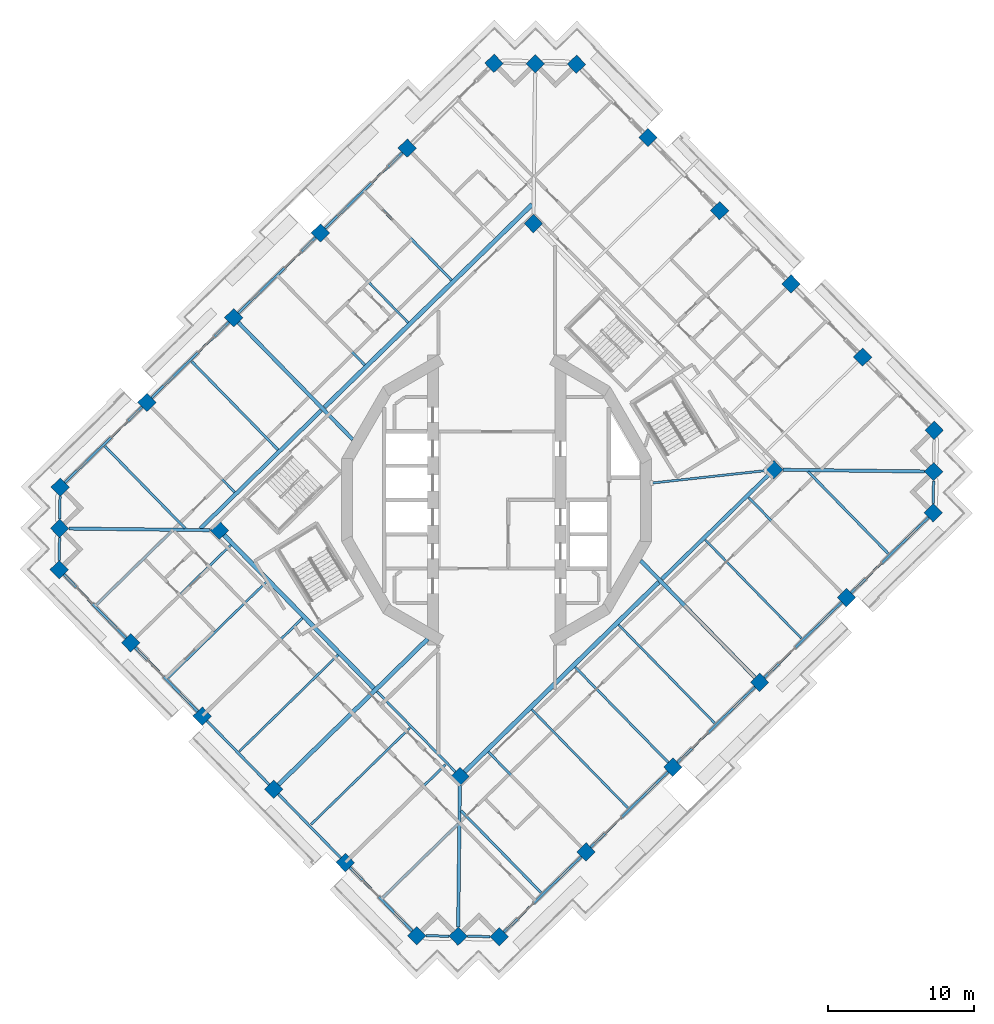
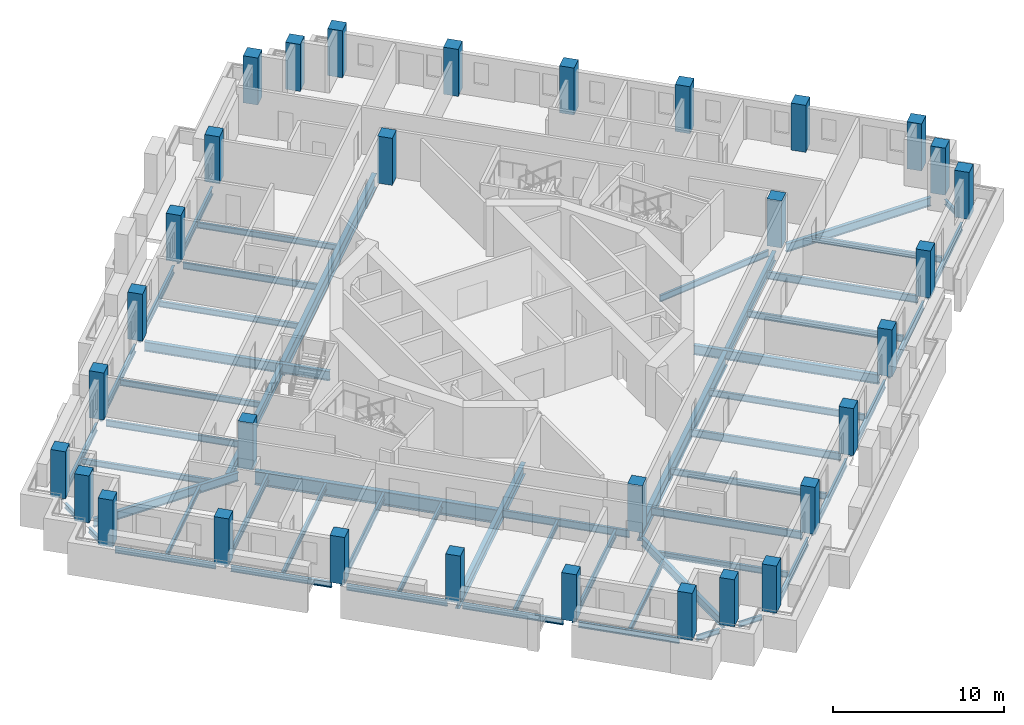
# One storey, part 1 of 17: 54 beams, 32 columns.
"""IFC4 building model written with IfcOpenShell, lengths in metres."""

from ifc_helpers import new_model, si_unit, direction, frame, origin, origin_2d, place, context, subcontext, project, spatial, rectangle, i_section, extrude, material, material_profile, profile_set, type_object, element, save


model = new_model("IFC4")

# Units and contexts
model_context = context("Model", 3, precision=1e-05, world=origin(), true_north=direction((0.0, 1.0)))
body_context = subcontext(model_context, "Body", "Model", "MODEL_VIEW")
ifc_project = project(units=[si_unit("LENGTHUNIT", "METRE"), si_unit("AREAUNIT", "SQUARE_METRE"), si_unit("VOLUMEUNIT", "CUBIC_METRE"), si_unit("PLANEANGLEUNIT", "RADIAN"), si_unit("MASSUNIT", "GRAM", prefix="KILO")], contexts=[model_context])

# Site, building, storey
site_placement = place(None, origin())
site = spatial("IfcSite", under=ifc_project, at=site_placement, CompositionType="ELEMENT")
building_placement = place(site_placement, origin())
building = spatial("IfcBuilding", under=site, at=building_placement, Name="Cantera Rosa Tower", CompositionType="ELEMENT")
storey_placement = place(building_placement, frame((0.0, 0.0, 237.800048828125)))
storey = spatial("IfcBuildingStorey", under=building, at=storey_placement, Name="L52", CompositionType="ELEMENT", Elevation=237.800048828125)

# Columns
ifc_material_1 = material(Name="Concrete C60/75", Category="concrete")
ifc_material_profile_1 = material_profile(ifc_material_1, rectangle(XDim=0.89990234375, YDim=0.89990234375, at=origin_2d()), Name="RC COLUMN RC900X900 C60/75")
ifc_profile_set_1 = profile_set([ifc_material_profile_1], Name="Concrete C60/75")
column_type_1 = type_object("IfcColumnType", Name="RC COLUMN RC900X900 C60/75", PredefinedType="COLUMN", material=ifc_profile_set_1)
for number, where, z_axis, x_axis, name in (
    (1, (30.003662109375, 4.77783203125, 0.0), (0.0, 0.0, 1.0), (0.71528629107, 0.698831540364, 0.0), "C-Z4-01 L52"),
    (2, (25.097900390625, 9.799072265625, 0.0), (0.0, 0.0, 1.0), (0.71528629107, 0.698831540364, 0.0), "C-Z4-02 L52"),
    (3, (20.19189453125, 14.8203125, 0.0), (0.0, 0.0, 1.0), (0.71528629107, 0.698831540364, 0.0), "C-Z4-03 L52"),
    (4, (15.2861328125, 19.841796875, 0.0), (0.0, 0.0, 1.0), (0.71528629107, 0.698831540364, 0.0), "C-Z4-04 L52"),
    (5, (10.38037109375, 24.863037109375, 0.0), (0.0, 0.0, 1.0), (0.71528629107, 0.698831540364, 0.0), "C-Z4-05 L52"),
    (6, (5.474609375, 29.88427734375, 0.0), (0.0, 0.0, 1.0), (0.71528629107, 0.698831540364, 0.0), "C-Z4-06 L52"),
    (7, (2.646484375, 29.917236328125, 0.0), (0.0, 0.0, 1.0), (0.71528629107, 0.698831540364, 0.0), "C-Z4-07 L52"),
    (8, (-0.181884765625, 29.9501953125, 0.0), (0.0, 0.0, 1.0), (0.71528629107, 0.698831540364, 0.0), "C-Z4-08 L52"),
    (9, (-6.133056640625, 24.1357421875, 0.0), (0.0, 0.0, 1.0), (0.71528629107, 0.698831540364, 0.0), "C-Z4-09 L52"),
    (10, (-12.084228515625, 18.321533203125, 0.0), (0.0, 0.0, 1.0), (0.71528629107, 0.698831540364, 0.0), "C-Z4-10 L52"),
    (11, (-18.035400390625, 12.50732421875, 0.0), (0.0, 0.0, 1.0), (0.71528629107, 0.698831540364, 0.0), "C-Z4-11 L52"),
    (12, (-23.986572265625, 6.693115234375, 0.0), (0.0, 0.0, 1.0), (0.71528629107, 0.698831540364, 0.0), "C-Z4-12 L52"),
    (13, (-29.937744140625, 0.878662109375, 0.0), (0.0, 0.0, 1.0), (0.71528629107, 0.698831540364, 0.0), "C-Z4-13 L52"),
    (14, (-29.970703125, -1.949462890625, 0.0), (0.0, 0.0, 1.0), (0.71528629107, 0.698831540364, 0.0), "C-Z4-14 L52"),
    (15, (-30.003662109375, -4.77783203125, 0.0), (0.0, 0.0, 1.0), (0.71528629107, 0.698831540364, 0.0), "C-Z4-15 L52"),
    (16, (-25.097900390625, -9.799072265625, 0.0), (0.0, 0.0, 1.0), (0.71528629107, 0.698831540364, 0.0), "C-Z4-16 L52"),
    (17, (-20.19189453125, -14.8203125, 0.0), (0.0, 0.0, 1.0), (0.71528629107, 0.698831540364, 0.0), "C-Z4-17 L52"),
    (18, (-15.2861328125, -19.841796875, 0.0), (0.0, 0.0, 1.0), (0.71528629107, 0.698831540364, 0.0), "C-Z4-18 L52"),
    (19, (-10.38037109375, -24.863037109375, 0.0), (0.0, 0.0, 1.0), (0.71528629107, 0.698831540364, 0.0), "C-Z4-19 L52"),
    (20, (-5.474609375, -29.88427734375, 0.0), (0.0, 0.0, 1.0), (0.71528629107, 0.698831540364, 0.0), "C-Z4-20 L52"),
    (21, (-2.646484375, -29.917236328125, 0.0), (0.0, 0.0, 1.0), (0.71528629107, 0.698831540364, 0.0), "C-Z4-21 L52"),
    (22, (0.181884765625, -29.9501953125, 0.0), (0.0, 0.0, 1.0), (0.71528629107, 0.698831540364, 0.0), "C-Z4-22 L52"),
    (23, (6.133056640625, -24.1357421875, 0.0), (0.0, 0.0, 1.0), (0.71528629107, 0.698831540364, 0.0), "C-Z4-23 L52"),
    (24, (12.084228515625, -18.321533203125, 0.0), (0.0, 0.0, 1.0), (0.71528629107, 0.698831540364, 0.0), "C-Z4-24 L52"),
    (25, (18.035400390625, -12.50732421875, 0.0), (0.0, 0.0, 1.0), (0.71528629107, 0.698831540364, 0.0), "C-Z4-25 L52"),
    (26, (23.986572265625, -6.693115234375, 0.0), (0.0, 0.0, 1.0), (0.71528629107, 0.698831540364, 0.0), "C-Z4-26 L52"),
    (27, (29.937744140625, -0.878662109375, 0.0), (0.0, 0.0, 1.0), (0.71528629107, 0.698831540364, 0.0), "C-Z4-27 L52"),
    (28, (29.970703125, 1.949462890625, 0.0), (0.0, 0.0, 1.0), (0.71528629107, 0.698831540364, 0.0), "C-Z4-28 L52"),
):
    element("IfcColumn", number, at=place(storey_placement, frame(where, z_axis=z_axis, x_axis=x_axis)), inside=storey, type_object=column_type_1, Name=name, PredefinedType="COLUMN", context=body_context, shape_type="SweptSolid", body=[
        extrude(rectangle(XDim=0.89990234375, YDim=0.89990234375, at=origin_2d()), origin(), (0.0, 0.0, 1.0), 3.349853515625),
    ])
ifc_material_2 = material(Name="Concrete C60/75", Category="concrete")
ifc_material_profile_2 = material_profile(ifc_material_2, rectangle(XDim=0.89990234375, YDim=0.89990234375, at=origin_2d()), Name="RC RING COLUMN RC900X900 C60/75")
ifc_profile_set_2 = profile_set([ifc_material_profile_2], Name="Concrete C60/75")
column_type_2 = type_object("IfcColumnType", Name="RC RING COLUMN RC900X900 C60/75", PredefinedType="COLUMN", material=ifc_profile_set_2)
for number, where, z_axis, x_axis, name in (
    (29, (2.518798828125, 18.957763671875, 0.0), (0.0, 0.0, 1.0), (0.71528629107, 0.698831540364, 0.0), "CI-Z4-1 L52"),
    (30, (-19.01123046875, -2.0771484375, 0.0), (0.0, 0.0, 1.0), (0.71528629107, 0.698831540364, 0.0), "CI-Z4-2 L52"),
    (31, (-2.518798828125, -18.957763671875, 0.0), (0.0, 0.0, 1.0), (0.71528629107, 0.698831540364, 0.0), "CI-Z4-3 L52"),
    (32, (19.01123046875, 2.0771484375, 0.0), (0.0, 0.0, 1.0), (0.71528629107, 0.698831540364, 0.0), "CI-Z4-4 L52"),
):
    element("IfcColumn", number, at=place(storey_placement, frame(where, z_axis=z_axis, x_axis=x_axis)), inside=storey, type_object=column_type_2, Name=name, PredefinedType="COLUMN", context=body_context, shape_type="SweptSolid", body=[
        extrude(rectangle(XDim=0.89990234375, YDim=0.89990234375, at=origin_2d()), origin(), (0.0, 0.0, 1.0), 3.349853515625),
    ])

# Beams
ifc_material_3 = material(Name="Steel ASTM A992 (Fy 345 MPa)", Category="steel")
ifc_material_profile_3 = material_profile(ifc_material_3, i_section(OverallWidth=0.300048828125, OverallDepth=0.990966796875, WebThickness=0.0166015625, FlangeThickness=0.030517578125, FilletRadius=0.030029296875, at=origin_2d()), Name="W1000X272")
ifc_profile_set_3 = profile_set([ifc_material_profile_3], Name="Steel ASTM A992 (Fy 345 MPa)")
beam_type_1 = type_object("IfcBeamType", Name="STEEL BEAM W1000X272", PredefinedType="BEAM", material=ifc_profile_set_3)
beam_1_placement = place(storey_placement, frame((-8.4169921875, -12.9208984375, -0.74560546875), z_axis=(-0.698826825527, 0.715290897415, 0.0), x_axis=(-0.715290897415, -0.698826825527, 0.0)))
element("IfcBeam", 33, at=beam_1_placement, inside=storey, type_object=beam_type_1, Name="RB-Z4-07 L52", PredefinedType="BEAM", context=body_context, shape_type="SweptSolid", body=[
    extrude(i_section(OverallWidth=0.300048828125, OverallDepth=0.990966796875, WebThickness=0.0166015625, FlangeThickness=0.030517578125, FilletRadius=0.030029296875, at=origin_2d()), origin(), (0.0, 0.0, 1.0), 14.7099609375),
])
ifc_material_4 = material(Name="Steel ASTM A992 (Fy 345 MPa)", Category="steel")
ifc_material_profile_4 = material_profile(ifc_material_4, i_section(OverallWidth=0.302001953125, OverallDepth=1.010009765625, WebThickness=0.02099609375, FlangeThickness=0.0400390625, FilletRadius=0.030029296875, at=origin_2d()), Name="W1000X350")
ifc_profile_set_4 = profile_set([ifc_material_profile_4], Name="Steel ASTM A992 (Fy 345 MPa)")
beam_type_2 = type_object("IfcBeamType", Name="STEEL BEAM W1000X350", PredefinedType="BEAM", material=ifc_profile_set_4)
beam_2_placement = place(storey_placement, frame((-11.813232421875, 6.353271484375, -0.755126953125), z_axis=(0.715280810147, 0.698837150297, 0.0), x_axis=(-0.698837150297, 0.715280810147, 0.0)))
element("IfcBeam", 34, at=beam_2_placement, inside=storey, type_object=beam_type_2, Name="RB-Z4-02 L52", PredefinedType="BEAM", context=body_context, shape_type="SweptSolid", body=[
    extrude(i_section(OverallWidth=0.302001953125, OverallDepth=1.010009765625, WebThickness=0.02099609375, FlangeThickness=0.0400390625, FilletRadius=0.030029296875, at=origin_2d()), origin(), (0.0, 0.0, 1.0), 19.909912109375),
])
beam_3_placement = place(storey_placement, frame((-2.197021484375, -18.643310546875, -0.755126953125), z_axis=(0.715290925107, 0.698826797182, 0.0), x_axis=(-0.698826797182, 0.715290925107, 0.0)))
element("IfcBeam", 35, at=beam_3_placement, inside=storey, type_object=beam_type_2, Name="RB-Z4-03 L52", PredefinedType="BEAM", context=body_context, shape_type="SweptSolid", body=[
    extrude(i_section(OverallWidth=0.302001953125, OverallDepth=1.010009765625, WebThickness=0.02099609375, FlangeThickness=0.0400390625, FilletRadius=0.030029296875, at=origin_2d()), origin(), (0.0, 0.0, 1.0), 18.60986328125),
])
ifc_material_5 = material(Name="Steel ASTM A992 (Fy 345 MPa)", Category="steel")
ifc_material_profile_5 = material_profile(ifc_material_5, i_section(OverallWidth=0.154052734375, OverallDepth=0.4599609375, WebThickness=0.009033203125, FlangeThickness=0.015380859375, FilletRadius=0.01025390625, at=origin_2d()), Name="W460X68")
ifc_profile_set_5 = profile_set([ifc_material_profile_5], Name="Steel ASTM A992 (Fy 345 MPa)")
beam_type_3 = type_object("IfcBeamType", Name="STEEL BEAM W460X68", PredefinedType="BEAM", material=ifc_profile_set_5)
for number, where, z_axis, x_axis, name in (
    (36, (-11.769775390625, 17.999755859375, -0.47998046875), (0.698836133494, -0.715281803574, 0.0), (0.715281803574, 0.698836133494, 0.0), "G-Z4-06 L52"),
    (37, (-23.672119140625, 6.37109375, -0.47998046875), (0.698836133494, -0.715281803574, 0.0), (0.715281803574, 0.698836133494, 0.0), "G-Z4-08 L52"),
):
    element("IfcBeam", number, at=place(storey_placement, frame(where, z_axis=z_axis, x_axis=x_axis)), inside=storey, type_object=beam_type_3, Name=name, PredefinedType="BEAM", context=body_context, shape_type="SweptSolid", body=[
        extrude(i_section(OverallWidth=0.154052734375, OverallDepth=0.4599609375, WebThickness=0.009033203125, FlangeThickness=0.015380859375, FilletRadius=0.01025390625, at=origin_2d()), origin(), (0.0, 0.0, 1.0), 8.150146484375),
    ])
beam_4_placement = place(storey_placement, frame((18.44287109375, 2.014892578125, -0.47998046875), z_axis=(-0.994086100692, -0.108594771563, 0.0), x_axis=(0.108594771563, -0.994086100692, 0.0)))
element("IfcBeam", 38, at=beam_4_placement, inside=storey, type_object=beam_type_3, Name="PG-Z4-01 L52", PredefinedType="BEAM", context=body_context, shape_type="SweptSolid", body=[
    extrude(i_section(OverallWidth=0.154052734375, OverallDepth=0.4599609375, WebThickness=0.009033203125, FlangeThickness=0.015380859375, FilletRadius=0.01025390625, at=origin_2d()), origin(), (0.0, 0.0, 1.0), 7.864013671875),
])
ifc_material_6 = material(Name="Steel ASTM A992 (Fy 345 MPa)", Category="steel")
ifc_material_profile_6 = material_profile(ifc_material_6, i_section(OverallWidth=0.166015625, OverallDepth=0.528076171875, WebThickness=0.009765625, FlangeThickness=0.013671875, FilletRadius=0.0126953125, at=origin_2d()), Name="W530X74")
ifc_profile_set_6 = profile_set([ifc_material_profile_6], Name="Steel ASTM A992 (Fy 345 MPa)")
beam_type_4 = type_object("IfcBeamType", Name="STEEL BEAM W530X74", PredefinedType="BEAM", material=ifc_profile_set_6)
for number, where, z_axis, x_axis, name in (
    (39, (5.818603515625, -23.81396484375, -0.51416015625), (-0.698827481213, 0.71529025682, 0.0), (-0.71529025682, -0.698827481213, 0.0), "G-Z4-09 L52"),
    (40, (11.769775390625, -17.999755859375, -0.51416015625), (-0.698827481213, 0.71529025682, 0.0), (-0.71529025682, -0.698827481213, 0.0), "G-Z4-10 L52"),
    (41, (23.672119140625, -6.37109375, -0.51416015625), (-0.698827481213, 0.71529025682, 0.0), (-0.71529025682, -0.698827481213, 0.0), "G-Z4-12 L52"),
    (42, (-24.77587890625, -9.484619140625, -0.51416015625), (0.71529025682, 0.698827481213, 0.0), (-0.698827481213, 0.71529025682, 0.0), "G-Z4-13 L52"),
    (43, (-19.8701171875, -14.505859375, -0.51416015625), (0.71529025682, 0.698827481213, 0.0), (-0.698827481213, 0.71529025682, 0.0), "G-Z4-14 L52"),
    (44, (-10.05859375, -24.548583984375, -0.51416015625), (0.71529025682, 0.698827481213, 0.0), (-0.698827481213, 0.71529025682, 0.0), "G-Z4-16 L52"),
):
    element("IfcBeam", number, at=place(storey_placement, frame(where, z_axis=z_axis, x_axis=x_axis)), inside=storey, type_object=beam_type_4, Name=name, PredefinedType="BEAM", context=body_context, shape_type="SweptSolid", body=[
        extrude(i_section(OverallWidth=0.166015625, OverallDepth=0.528076171875, WebThickness=0.009765625, FlangeThickness=0.013671875, FilletRadius=0.0126953125, at=origin_2d()), origin(), (0.0, 0.0, 1.0), 9.14990234375),
    ])
beam_5_placement = place(storey_placement, frame((-2.833251953125, -18.635986328125, -0.51416015625), z_axis=(-0.698820376914, 0.71529719754, 0.0), x_axis=(-0.71529719754, -0.698820376914, 0.0)))
element("IfcBeam", 45, at=beam_5_placement, inside=storey, type_object=beam_type_4, Name="RB-Z4-06 L52", PredefinedType="BEAM", context=body_context, shape_type="SweptSolid", body=[
    extrude(i_section(OverallWidth=0.166015625, OverallDepth=0.528076171875, WebThickness=0.009765625, FlangeThickness=0.013671875, FilletRadius=0.0126953125, at=origin_2d()), origin(), (0.0, 0.0, 1.0), 7.690185546875),
])
ifc_material_7 = material(Name="Steel ASTM A992 (Fy 345 MPa)", Category="steel")
ifc_material_profile_7 = material_profile(ifc_material_7, i_section(OverallWidth=0.22802734375, OverallDepth=0.60205078125, WebThickness=0.010498046875, FlangeThickness=0.014892578125, FilletRadius=0.0126953125, at=origin_2d()), Name="W610X101")
ifc_profile_set_7 = profile_set([ifc_material_profile_7], Name="Steel ASTM A992 (Fy 345 MPa)")
beam_type_5 = type_object("IfcBeamType", Name="STEEL BEAM W610X101", PredefinedType="BEAM", material=ifc_profile_set_7)
for number, where, z_axis, x_axis, name in (
    (46, (-29.334228515625, -1.95703125, -0.551025390625), (0.999932504919, -0.011618330597, 0.0), (0.011618330597, 0.999932504919, 0.0), "CB-Z4-02 L52"),
    (47, (-2.638916015625, -29.28076171875, -0.551025390625), (0.011618330597, 0.999932504919, 0.0), (-0.999932504919, 0.011618330597, 0.0), "CB-Z4-03 L52"),
    (48, (29.334228515625, 1.95703125, -0.551025390625), (-0.999932504919, 0.011618330597, 0.0), (-0.011618330597, -0.999932504919, 0.0), "CB-Z4-04 L52"),
):
    element("IfcBeam", number, at=place(storey_placement, frame(where, z_axis=z_axis, x_axis=x_axis)), inside=storey, type_object=beam_type_5, Name=name, PredefinedType="BEAM", context=body_context, shape_type="SweptSolid", body=[
        extrude(i_section(OverallWidth=0.22802734375, OverallDepth=0.60205078125, WebThickness=0.010498046875, FlangeThickness=0.014892578125, FilletRadius=0.0126953125, at=origin_2d()), origin(), (0.0, 0.0, 1.0), 9.687255859375),
    ])
ifc_material_8 = material(Name="Steel ASTM A992 (Fy 345 MPa)", Category="steel")
ifc_material_profile_8 = material_profile(ifc_material_8, i_section(OverallWidth=0.25390625, OverallDepth=0.677978515625, WebThickness=0.01171875, FlangeThickness=0.016357421875, FilletRadius=0.01513671875, at=origin_2d()), Name="W690X125")
ifc_profile_set_8 = profile_set([ifc_material_profile_8], Name="Steel ASTM A992 (Fy 345 MPa)")
beam_type_6 = type_object("IfcBeamType", Name="STEEL BEAM W690X125", PredefinedType="BEAM", material=ifc_profile_set_8)
for number, where, z_axis, x_axis, name in (
    (49, (-17.720947265625, 12.185302734375, -0.589111328125), (0.698831358516, -0.715286468734, 0.0), (0.715286468734, 0.698831358516, 0.0), "G-Z4-07 L52"),
    (50, (17.720947265625, -12.185302734375, -0.589111328125), (-0.698831358516, 0.715286468734, 0.0), (-0.715286468734, -0.698831358516, 0.0), "G-Z4-11 L52"),
):
    element("IfcBeam", number, at=place(storey_placement, frame(where, z_axis=z_axis, x_axis=x_axis)), inside=storey, type_object=beam_type_6, Name=name, PredefinedType="BEAM", context=body_context, shape_type="SweptSolid", body=[
        extrude(i_section(OverallWidth=0.25390625, OverallDepth=0.677978515625, WebThickness=0.01171875, FlangeThickness=0.016357421875, FilletRadius=0.01513671875, at=origin_2d()), origin(), (0.0, 0.0, 1.0), 11.2314453125),
    ])
beam_6_placement = place(storey_placement, frame((11.3291015625, -5.428466796875, -0.589111328125), z_axis=(0.715291776896, 0.698825925324, 0.0), x_axis=(-0.698825925324, 0.715291776896, 0.0)))
element("IfcBeam", 51, at=beam_6_placement, inside=storey, type_object=beam_type_6, Name="RB-Z4-04 L52", PredefinedType="BEAM", context=body_context, shape_type="SweptSolid", body=[
    extrude(i_section(OverallWidth=0.25390625, OverallDepth=0.677978515625, WebThickness=0.01171875, FlangeThickness=0.016357421875, FilletRadius=0.01513671875, at=origin_2d()), origin(), (0.0, 0.0, 1.0), 10.2900390625),
])
ifc_material_9 = material(Name="Steel ASTM A992 (Fy 345 MPa)", Category="steel")
ifc_material_profile_9 = material_profile(ifc_material_9, i_section(OverallWidth=0.26708984375, OverallDepth=0.75390625, WebThickness=0.01318359375, FlangeThickness=0.01708984375, FilletRadius=0.0166015625, at=origin_2d()), Name="W760X147")
ifc_profile_set_9 = profile_set([ifc_material_profile_9], Name="Steel ASTM A992 (Fy 345 MPa)")
beam_type_7 = type_object("IfcBeamType", Name="STEEL BEAM W760X147", PredefinedType="BEAM", material=ifc_profile_set_9)
beam_7_placement = place(storey_placement, frame((-20.318115234375, -1.955810546875, -0.626953125), z_axis=(0.715284592672, 0.698833278749, 0.0), x_axis=(-0.698833278749, 0.715284592672, 0.0)))
element("IfcBeam", 52, at=beam_7_placement, inside=storey, type_object=beam_type_7, Name="RB-Z4-01 L52", PredefinedType="BEAM", context=body_context, shape_type="SweptSolid", body=[
    extrude(i_section(OverallWidth=0.26708984375, OverallDepth=0.75390625, WebThickness=0.01318359375, FlangeThickness=0.01708984375, FilletRadius=0.0166015625, at=origin_2d()), origin(), (0.0, 0.0, 1.0), 11.590087890625),
])
ifc_material_10 = material(Name="Steel ASTM A992 (Fy 345 MPa)", Category="steel")
ifc_material_profile_10 = material_profile(ifc_material_10, i_section(OverallWidth=0.2919921875, OverallDepth=0.8359375, WebThickness=0.013916015625, FlangeThickness=0.018798828125, FilletRadius=0.017822265625, at=origin_2d()), Name="W840X176")
ifc_profile_set_10 = profile_set([ifc_material_profile_10], Name="Steel ASTM A992 (Fy 345 MPa)")
beam_type_8 = type_object("IfcBeamType", Name="STEEL BEAM W840X176", PredefinedType="BEAM", material=ifc_profile_set_10)
beam_8_placement = place(storey_placement, frame((-14.96435546875, -19.527099609375, -0.66796875), z_axis=(0.715288446628, 0.698829334045, 0.0), x_axis=(-0.698829334045, 0.715288446628, 0.0)))
element("IfcBeam", 53, at=beam_8_placement, inside=storey, type_object=beam_type_8, Name="G-Z4-15 L52", PredefinedType="BEAM", context=body_context, shape_type="SweptSolid", body=[
    extrude(i_section(OverallWidth=0.2919921875, OverallDepth=0.8359375, WebThickness=0.013916015625, FlangeThickness=0.018798828125, FilletRadius=0.017822265625, at=origin_2d()), origin(), (0.0, 0.0, 1.0), 14.299072265625),
])
ifc_material_11 = material(Name="Steel ASTM A992 (Fy 345 MPa)", Category="steel")
ifc_material_profile_11 = material_profile(ifc_material_11, i_section(OverallWidth=0.1708984375, OverallDepth=0.35595703125, WebThickness=0.00732421875, FlangeThickness=0.01171875, FilletRadius=0.010009765625, at=origin_2d()), Name="W360X51")
ifc_profile_set_11 = profile_set([ifc_material_profile_11], Name="Steel ASTM A992 (Fy 345 MPa)")
beam_type_9 = type_object("IfcBeamType", Name="STEEL JOIST W360X51", PredefinedType="JOIST", material=ifc_profile_set_11)
for number, where, z_axis, x_axis, name in (
    (54, (-27.443359375, -7.18359375, -0.427978515625), (0.715287213552, 0.69883059616, 0.0), (-0.69883059616, 0.715287213552, 0.0), "B-Z4-16 L52"),
    (55, (-7.8203125, -27.268798828125, -0.427978515625), (0.715287213552, 0.69883059616, 0.0), (-0.69883059616, 0.715287213552, 0.0), "B-Z4-20 L52"),
):
    element("IfcBeam", number, at=place(storey_placement, frame(where, z_axis=z_axis, x_axis=x_axis)), inside=storey, type_object=beam_type_9, Name=name, PredefinedType="JOIST", context=body_context, shape_type="SweptSolid", body=[
        extrude(i_section(OverallWidth=0.1708984375, OverallDepth=0.35595703125, WebThickness=0.00732421875, FlangeThickness=0.01171875, FilletRadius=0.010009765625, at=origin_2d()), origin(), (0.0, 0.0, 1.0), 7.2099609375),
    ])
ifc_material_12 = material(Name="Steel ASTM A992 (Fy 345 MPa)", Category="steel")
ifc_material_profile_12 = material_profile(ifc_material_12, i_section(OverallWidth=0.177978515625, OverallDepth=0.406005859375, WebThickness=0.0078125, FlangeThickness=0.0126953125, FilletRadius=0.01025390625, at=origin_2d()), Name="W410X60")
ifc_profile_set_12 = profile_set([ifc_material_profile_12], Name="Steel ASTM A992 (Fy 345 MPa)")
beam_type_10 = type_object("IfcBeamType", Name="STEEL JOIST W410X60", PredefinedType="JOIST", material=ifc_profile_set_12)
for number, where, z_axis, x_axis, name in (
    (56, (-9.00390625, 21.121337890625, -0.453125), (0.698839235604, -0.715278772774, 0.0), (0.715278772774, 0.698839235604, 0.0), "B-Z4-07 L52"),
    (57, (-14.955078125, 15.30712890625, -0.453125), (0.698839235604, -0.715278772774, 0.0), (0.715278772774, 0.698839235604, 0.0), "B-Z4-08 L52"),
    (58, (-20.90625, 9.492919921875, -0.453125), (0.698839235604, -0.715278772774, 0.0), (0.715278772774, 0.698839235604, 0.0), "B-Z4-09 L52"),
):
    element("IfcBeam", number, at=place(storey_placement, frame(where, z_axis=z_axis, x_axis=x_axis)), inside=storey, type_object=beam_type_10, Name=name, PredefinedType="JOIST", context=body_context, shape_type="SweptSolid", body=[
        extrude(i_section(OverallWidth=0.177978515625, OverallDepth=0.406005859375, WebThickness=0.0078125, FlangeThickness=0.0126953125, FilletRadius=0.01025390625, at=origin_2d()), origin(), (0.0, 0.0, 1.0), 8.4501953125),
    ])
for number, where, z_axis, x_axis, name in (
    (59, (-26.857421875, 3.678466796875, -0.453125), (0.698843394481, -0.715274709458, 0.0), (0.715274709458, 0.698843394481, 0.0), "B-Z4-10 L52"),
    (60, (3.052734375, -26.935791015625, -0.453125), (-0.698827868311, 0.715289878631, 0.0), (-0.715289878631, -0.698827868311, 0.0), "B-Z4-11 L52"),
    (61, (26.857421875, -3.678466796875, -0.453125), (-0.698843394481, 0.715274709458, 0.0), (-0.715274709458, -0.698843394481, 0.0), "B-Z4-15 L52"),
):
    element("IfcBeam", number, at=place(storey_placement, frame(where, z_axis=z_axis, x_axis=x_axis)), inside=storey, type_object=beam_type_10, Name=name, PredefinedType="JOIST", context=body_context, shape_type="SweptSolid", body=[
        extrude(i_section(OverallWidth=0.177978515625, OverallDepth=0.406005859375, WebThickness=0.0078125, FlangeThickness=0.0126953125, FilletRadius=0.01025390625, at=origin_2d()), origin(), (0.0, 0.0, 1.0), 7.860107421875),
    ])
ifc_material_13 = material(Name="Steel ASTM A992 (Fy 345 MPa)", Category="steel")
ifc_material_profile_13 = material_profile(ifc_material_13, i_section(OverallWidth=0.154052734375, OverallDepth=0.4599609375, WebThickness=0.009033203125, FlangeThickness=0.015380859375, FilletRadius=0.01025390625, at=origin_2d()), Name="W460X68")
ifc_profile_set_13 = profile_set([ifc_material_profile_13], Name="Steel ASTM A992 (Fy 345 MPa)")
beam_type_11 = type_object("IfcBeamType", Name="STEEL JOIST W460X68", PredefinedType="JOIST", material=ifc_profile_set_13)
beam_9_placement = place(storey_placement, frame((9.00390625, -21.121337890625, -0.47998046875), z_axis=(-0.698843443844, 0.715274661229, 0.0), x_axis=(-0.715274661229, -0.698843443844, 0.0)))
element("IfcBeam", 62, at=beam_9_placement, inside=storey, type_object=beam_type_11, Name="B-Z4-12 L52", PredefinedType="JOIST", context=body_context, shape_type="SweptSolid", body=[
    extrude(i_section(OverallWidth=0.154052734375, OverallDepth=0.4599609375, WebThickness=0.009033203125, FlangeThickness=0.015380859375, FilletRadius=0.01025390625, at=origin_2d()), origin(), (0.0, 0.0, 1.0), 9.449951171875),
])
for number, where, z_axis, x_axis, name in (
    (63, (14.955078125, -15.30712890625, -0.47998046875), (-0.698830529832, 0.715287278354, 0.0), (-0.715287278354, -0.698830529832, 0.0), "B-Z4-13 L52"),
    (64, (20.90625, -9.492919921875, -0.47998046875), (-0.698830529832, 0.715287278354, 0.0), (-0.715287278354, -0.698830529832, 0.0), "B-Z4-14 L52"),
    (65, (-22.53759765625, -12.204833984375, -0.47998046875), (0.715287278354, 0.698830529832, 0.0), (-0.698830529832, 0.715287278354, 0.0), "B-Z4-17 L52"),
    (66, (-17.6318359375, -17.226318359375, -0.47998046875), (0.715287278354, 0.698830529832, 0.0), (-0.698830529832, 0.715287278354, 0.0), "B-Z4-18 L52"),
    (67, (-12.72607421875, -22.24755859375, -0.47998046875), (0.715287278354, 0.698830529832, 0.0), (-0.698830529832, 0.715287278354, 0.0), "B-Z4-19 L52"),
):
    element("IfcBeam", number, at=place(storey_placement, frame(where, z_axis=z_axis, x_axis=x_axis)), inside=storey, type_object=beam_type_11, Name=name, PredefinedType="JOIST", context=body_context, shape_type="SweptSolid", body=[
        extrude(i_section(OverallWidth=0.154052734375, OverallDepth=0.4599609375, WebThickness=0.009033203125, FlangeThickness=0.015380859375, FilletRadius=0.01025390625, at=origin_2d()), origin(), (0.0, 0.0, 1.0), 9.4501953125),
    ])
ifc_material_14 = material(Name="Steel ASTM A992 (Fy 345 MPa)", Category="steel")
ifc_material_profile_14 = material_profile(ifc_material_14, i_section(OverallWidth=0.1708984375, OverallDepth=0.35595703125, WebThickness=0.00732421875, FlangeThickness=0.01171875, FilletRadius=0.010009765625, at=origin_2d()), Name="W360X51")
ifc_profile_set_14 = profile_set([ifc_material_profile_14], Name="Steel ASTM A992 (Fy 345 MPa)")
beam_type_12 = type_object("IfcBeamType", Name="STEEL SPANDREL BEAM W360X51", PredefinedType="SPANDREL", material=ifc_profile_set_14)
beam_10_placement = place(storey_placement, frame((-29.945068359375, 0.242431640625, -0.427978515625), z_axis=(-0.011769429589, -0.999930737865, 0.0), x_axis=(0.999930737865, -0.011769429589, 0.0)))
element("IfcBeam", 68, at=beam_10_placement, inside=storey, type_object=beam_type_12, Name="EB-Z4-13 L52", PredefinedType="SPANDREL", context=body_context, shape_type="SweptSolid", body=[
    extrude(i_section(OverallWidth=0.1708984375, OverallDepth=0.35595703125, WebThickness=0.00732421875, FlangeThickness=0.01171875, FilletRadius=0.010009765625, at=origin_2d()), origin(), (0.0, 0.0, 1.0), 1.5556640625),
])
for number, where, z_axis, x_axis, name in (
    (69, (-29.97802734375, -2.5859375, -0.427978515625), (-0.011614347636, -0.99993255119, 0.0), (0.99993255119, -0.011614347636, 0.0), "EB-Z4-14 L52"),
    (70, (-4.838134765625, -29.8916015625, -0.427978515625), (0.999930716123, -0.011771276677, 0.0), (0.011771276677, 0.999930716123, 0.0), "EB-Z4-20 L52"),
    (71, (-2.010009765625, -29.924560546875, -0.427978515625), (0.99993255119, -0.011614347636, 0.0), (0.011614347636, 0.99993255119, 0.0), "EB-Z4-21 L52"),
):
    element("IfcBeam", number, at=place(storey_placement, frame(where, z_axis=z_axis, x_axis=x_axis)), inside=storey, type_object=beam_type_12, Name=name, PredefinedType="SPANDREL", context=body_context, shape_type="SweptSolid", body=[
        extrude(i_section(OverallWidth=0.1708984375, OverallDepth=0.35595703125, WebThickness=0.00732421875, FlangeThickness=0.01171875, FilletRadius=0.010009765625, at=origin_2d()), origin(), (0.0, 0.0, 1.0), 1.555419921875),
    ])
beam_11_placement = place(storey_placement, frame((29.945068359375, -0.242431640625, -0.427978515625), z_axis=(0.011769429589, 0.999930737865, 0.0), x_axis=(-0.999930737865, 0.011769429589, 0.0)))
element("IfcBeam", 72, at=beam_11_placement, inside=storey, type_object=beam_type_12, Name="EB-Z4-27 L52", PredefinedType="SPANDREL", context=body_context, shape_type="SweptSolid", body=[
    extrude(i_section(OverallWidth=0.1708984375, OverallDepth=0.35595703125, WebThickness=0.00732421875, FlangeThickness=0.01171875, FilletRadius=0.010009765625, at=origin_2d()), origin(), (0.0, 0.0, 1.0), 1.5556640625),
])
ifc_material_15 = material(Name="Steel ASTM A992 (Fy 345 MPa)", Category="steel")
ifc_material_profile_15 = material_profile(ifc_material_15, i_section(OverallWidth=0.177978515625, OverallDepth=0.406005859375, WebThickness=0.0078125, FlangeThickness=0.0126953125, FilletRadius=0.01025390625, at=origin_2d()), Name="W410X60")
ifc_profile_set_15 = profile_set([ifc_material_profile_15], Name="Steel ASTM A992 (Fy 345 MPa)")
beam_type_13 = type_object("IfcBeamType", Name="STEEL SPANDREL BEAM W410X60", PredefinedType="SPANDREL", material=ifc_profile_set_15)
beam_12_placement = place(storey_placement, frame((-29.689208984375, -5.099609375, -0.453125), z_axis=(0.69882117953, -0.715296413412, 0.0), x_axis=(0.715296413412, 0.69882117953, 0.0)))
element("IfcBeam", 73, at=beam_12_placement, inside=storey, type_object=beam_type_13, Name="EB-Z4-15 L52", PredefinedType="SPANDREL", context=body_context, shape_type="SweptSolid", body=[
    extrude(i_section(OverallWidth=0.177978515625, OverallDepth=0.406005859375, WebThickness=0.0078125, FlangeThickness=0.0126953125, FilletRadius=0.01025390625, at=origin_2d()), origin(), (0.0, 0.0, 1.0), 6.1201171875),
])
for number, where, z_axis, x_axis, name in (
    (74, (-24.783203125, -10.120849609375, -0.453125), (0.698800768177, -0.715316354067, 0.0), (0.715316354067, 0.698800768177, 0.0), "EB-Z4-16 L52"),
    (75, (-19.87744140625, -15.142333984375, -0.453125), (0.698841120217, -0.71527693147, 0.0), (0.71527693147, 0.698841120217, 0.0), "EB-Z4-17 L52"),
    (76, (-14.9716796875, -20.16357421875, -0.453125), (0.698841120217, -0.71527693147, 0.0), (0.71527693147, 0.698841120217, 0.0), "EB-Z4-18 L52"),
):
    element("IfcBeam", number, at=place(storey_placement, frame(where, z_axis=z_axis, x_axis=x_axis)), inside=storey, type_object=beam_type_13, Name=name, PredefinedType="SPANDREL", context=body_context, shape_type="SweptSolid", body=[
        extrude(i_section(OverallWidth=0.177978515625, OverallDepth=0.406005859375, WebThickness=0.0078125, FlangeThickness=0.0126953125, FilletRadius=0.01025390625, at=origin_2d()), origin(), (0.0, 0.0, 1.0), 6.119873046875),
    ])
beam_13_placement = place(storey_placement, frame((-10.06591796875, -25.184814453125, -0.453125), z_axis=(0.69882117953, -0.715296413412, 0.0), x_axis=(0.715296413412, 0.69882117953, 0.0)))
element("IfcBeam", 77, at=beam_13_placement, inside=storey, type_object=beam_type_13, Name="EB-Z4-19 L52", PredefinedType="SPANDREL", context=body_context, shape_type="SweptSolid", body=[
    extrude(i_section(OverallWidth=0.177978515625, OverallDepth=0.406005859375, WebThickness=0.0078125, FlangeThickness=0.0126953125, FilletRadius=0.01025390625, at=origin_2d()), origin(), (0.0, 0.0, 1.0), 6.1201171875),
])
ifc_material_16 = material(Name="Steel ASTM A992 (Fy 345 MPa)", Category="steel")
ifc_material_profile_16 = material_profile(ifc_material_16, i_section(OverallWidth=0.166015625, OverallDepth=0.528076171875, WebThickness=0.009765625, FlangeThickness=0.013671875, FilletRadius=0.0126953125, at=origin_2d()), Name="W530X74")
ifc_profile_set_16 = profile_set([ifc_material_profile_16], Name="Steel ASTM A992 (Fy 345 MPa)")
beam_type_14 = type_object("IfcBeamType", Name="STEEL SPANDREL BEAM W530X74", PredefinedType="SPANDREL", material=ifc_profile_set_16)
for number, where, z_axis, x_axis, name in (
    (78, (-6.454833984375, 23.8212890625, -0.51416015625), (-0.715300826176, -0.698816662703, 0.0), (0.698816662703, -0.715300826176, 0.0), "EB-Z4-09 L52"),
    (79, (-12.406005859375, 18.007080078125, -0.51416015625), (-0.715300826176, -0.698816662703, 0.0), (0.698816662703, -0.715300826176, 0.0), "EB-Z4-10 L52"),
    (80, (-18.357177734375, 12.19287109375, -0.51416015625), (-0.715300826176, -0.698816662703, 0.0), (0.698816662703, -0.715300826176, 0.0), "EB-Z4-11 L52"),
    (81, (-24.308349609375, 6.37841796875, -0.51416015625), (-0.715300826176, -0.698816662703, 0.0), (0.698816662703, -0.715300826176, 0.0), "EB-Z4-12 L52"),
):
    element("IfcBeam", number, at=place(storey_placement, frame(where, z_axis=z_axis, x_axis=x_axis)), inside=storey, type_object=beam_type_14, Name=name, PredefinedType="SPANDREL", context=body_context, shape_type="SweptSolid", body=[
        extrude(i_section(OverallWidth=0.166015625, OverallDepth=0.528076171875, WebThickness=0.009765625, FlangeThickness=0.013671875, FilletRadius=0.0126953125, at=origin_2d()), origin(), (0.0, 0.0, 1.0), 7.420166015625),
    ])
beam_14_placement = place(storey_placement, frame((0.503662109375, -29.6357421875, -0.51416015625), z_axis=(0.715284379566, 0.698833496871, 0.0), x_axis=(-0.698833496871, 0.715284379566, 0.0)))
element("IfcBeam", 82, at=beam_14_placement, inside=storey, type_object=beam_type_14, Name="EB-Z4-22 L52", PredefinedType="SPANDREL", context=body_context, shape_type="SweptSolid", body=[
    extrude(i_section(OverallWidth=0.166015625, OverallDepth=0.528076171875, WebThickness=0.009765625, FlangeThickness=0.013671875, FilletRadius=0.0126953125, at=origin_2d()), origin(), (0.0, 0.0, 1.0), 7.42041015625),
])
for number, where, z_axis, x_axis, name in (
    (83, (6.454833984375, -23.8212890625, -0.51416015625), (0.715300826176, 0.698816662703, 0.0), (-0.698816662703, 0.715300826176, 0.0), "EB-Z4-23 L52"),
    (84, (12.406005859375, -18.007080078125, -0.51416015625), (0.715300826176, 0.698816662703, 0.0), (-0.698816662703, 0.715300826176, 0.0), "EB-Z4-24 L52"),
    (85, (18.357177734375, -12.19287109375, -0.51416015625), (0.715300826176, 0.698816662703, 0.0), (-0.698816662703, 0.715300826176, 0.0), "EB-Z4-25 L52"),
    (86, (24.308349609375, -6.37841796875, -0.51416015625), (0.715300826176, 0.698816662703, 0.0), (-0.698816662703, 0.715300826176, 0.0), "EB-Z4-26 L52"),
):
    element("IfcBeam", number, at=place(storey_placement, frame(where, z_axis=z_axis, x_axis=x_axis)), inside=storey, type_object=beam_type_14, Name=name, PredefinedType="SPANDREL", context=body_context, shape_type="SweptSolid", body=[
        extrude(i_section(OverallWidth=0.166015625, OverallDepth=0.528076171875, WebThickness=0.009765625, FlangeThickness=0.013671875, FilletRadius=0.0126953125, at=origin_2d()), origin(), (0.0, 0.0, 1.0), 7.420166015625),
    ])

save(model, "model.ifc")
